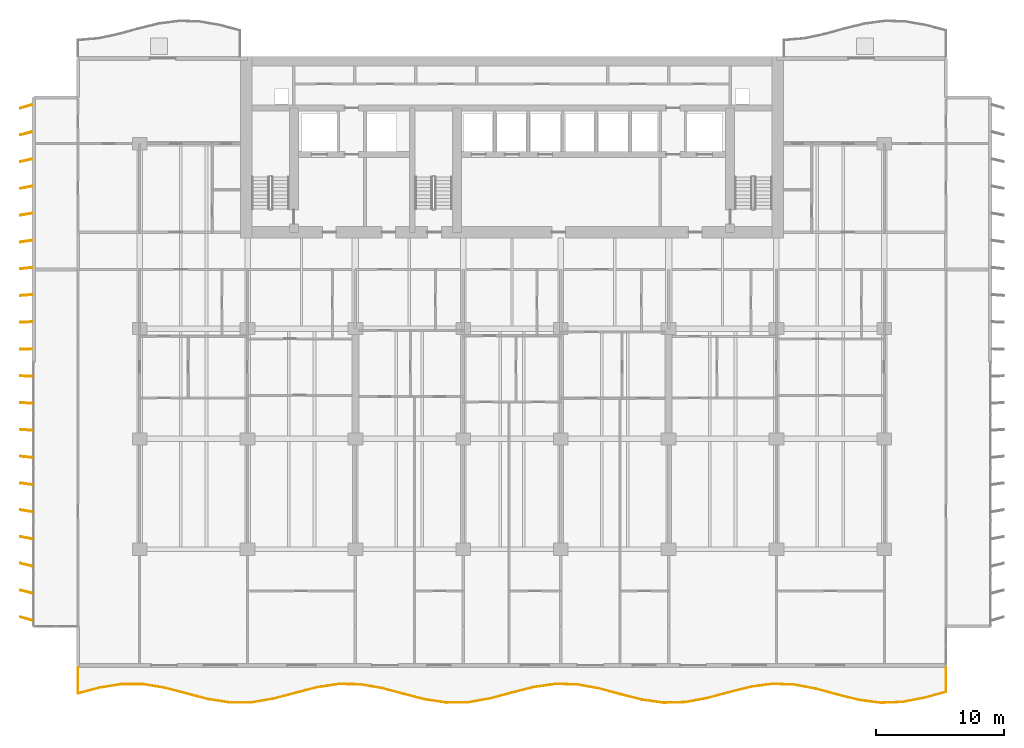
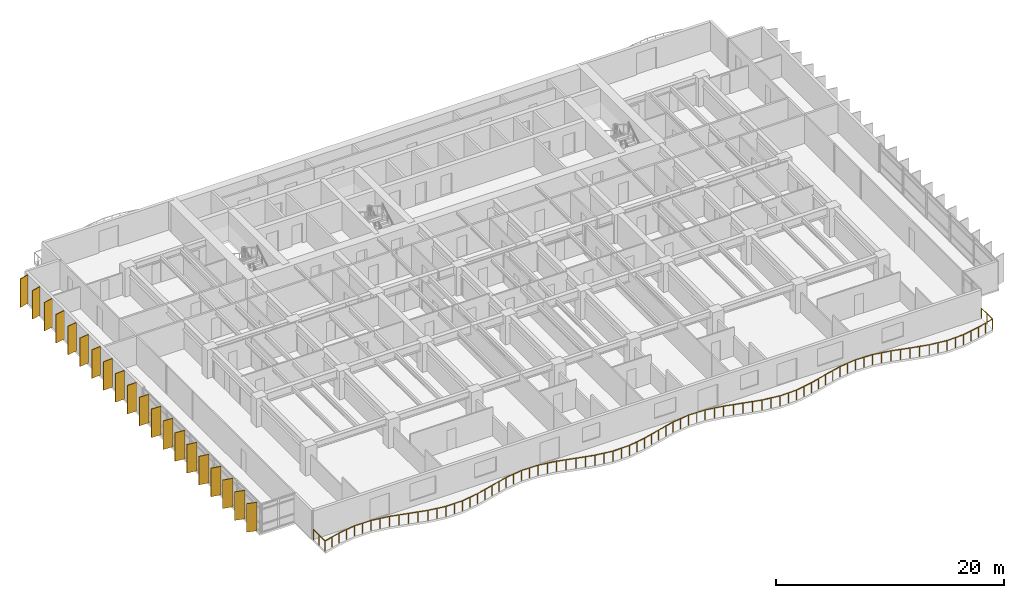
# One storey, part 15 of 18: 20 shading devices, 1 railing.
"""IFC4 building model written with IfcOpenShell, lengths in metres."""

from ifc_helpers import new_model, si_unit, direction, frame, origin, origin_2d, place, context, subcontext, project, spatial, rectangle, circle, extrude, material, material_profile, profile_set, type_object, element, save


model = new_model("IFC4")

# Units and contexts
model_context = context("Model", 3, precision=1e-05, world=origin(), true_north=direction((0.0, 1.0)))
body_context = subcontext(model_context, "Body", "Model", "MODEL_VIEW")
ifc_project = project(units=[si_unit("LENGTHUNIT", "METRE"), si_unit("AREAUNIT", "SQUARE_METRE"), si_unit("VOLUMEUNIT", "CUBIC_METRE"), si_unit("PLANEANGLEUNIT", "RADIAN"), si_unit("MASSUNIT", "GRAM", prefix="KILO")], contexts=[model_context])

# Site, building, storey
site_placement = place(None, origin())
site = spatial("IfcSite", under=ifc_project, at=site_placement, CompositionType="ELEMENT")
building_placement = place(site_placement, origin())
building = spatial("IfcBuilding", under=site, at=building_placement, Name="Caelmar Bay Residences", CompositionType="ELEMENT")
storey_placement = place(building_placement, frame((0.0, 0.0, 46.5)))
storey = spatial("IfcBuildingStorey", under=building, at=storey_placement, Name="L11", CompositionType="ELEMENT", Elevation=46.5)

# Railing
ifc_material_1 = material(Name="Anodised bronze handrail with laminated hurricane glass infill", Category="glass")
railing_type = type_object("IfcRailingType", Name="RL-BAL-1100", PredefinedType="BALUSTRADE", material=ifc_material_1)
railing_placement = place(storey_placement, frame((5.10009765625, 3.0, 0.0)))
element("IfcRailing", 1, at=railing_placement, inside=storey, type_object=railing_type, Name="L11 south Balcony Balustrade", PredefinedType="BALUSTRADE", context=body_context, shape_type="SweptSolid", body=[
    extrude(circle(Radius=0.02392578125, at=origin_2d()), frame((0.0, 0.0, 1.076171875), z_axis=(0.0, -1.0, 0.0), x_axis=(1.0, 0.0, 0.0)), (0.0, 0.0, 1.0), 2.02001953125),
    extrude(circle(Radius=0.02392578125, at=origin_2d()), frame((0.0, -2.02001953125, 1.076171875), z_axis=(0.9673004227, 0.253633381566, 0.0), x_axis=(-0.253633381566, 0.9673004227, 0.0)), (0.0, 0.0, 1.0), 1.7470703125),
    extrude(circle(Radius=0.02392578125, at=origin_2d()), frame((1.68994140625, -1.576904296875, 1.076171875), z_axis=(0.987296031473, 0.158891617894, 0.0), x_axis=(-0.158891617894, 0.987296031473, 0.0)), (0.0, 0.0, 1.0), 1.711669921875),
    extrude(circle(Radius=0.02392578125, at=origin_2d()), frame((3.3798828125, -1.304931640625, 1.076171875), z_axis=(0.999996618965, -0.002600395715, 0.0), x_axis=(0.002600395715, 0.999996618965, 0.0)), (0.0, 0.0, 1.0), 1.68994140625),
    extrude(circle(Radius=0.02392578125, at=origin_2d()), frame((5.06982421875, -1.309326171875, 1.076171875), z_axis=(0.986643147145, -0.162896593556, 0.0), x_axis=(0.162896593556, 0.986643147145, 0.0)), (0.0, 0.0, 1.0), 1.713134765625),
    extrude(circle(Radius=0.02392578125, at=origin_2d()), frame((6.760009765625, -1.58837890625, 1.076171875), z_axis=(0.966956816591, -0.254940218185, 0.0), x_axis=(0.254940218185, 0.966956816591, 0.0)), (0.0, 0.0, 1.0), 1.747802734375),
    extrude(circle(Radius=0.02392578125, at=origin_2d()), frame((8.449951171875, -2.033935546875, 1.076171875), z_axis=(0.967676628528, -0.252194255687, 0.0), x_axis=(0.252194255687, 0.967676628528, 0.0)), (0.0, 0.0, 1.0), 1.746337890625),
    extrude(circle(Radius=0.02392578125, at=origin_2d()), frame((10.139892578125, -2.474365234375, 1.076171875), z_axis=(0.987958911822, -0.154716477957, 0.0), x_axis=(0.154716477957, 0.987958911822, 0.0)), (0.0, 0.0, 1.0), 1.71044921875),
    extrude(circle(Radius=0.02392578125, at=origin_2d()), frame((11.829833984375, -2.739013671875, 1.076171875), z_axis=(0.999970696871, 0.007655416284, 0.0), x_axis=(-0.007655416284, 0.999970696871, 0.0)), (0.0, 0.0, 1.0), 1.690185546875),
    extrude(circle(Radius=0.02392578125, at=origin_2d()), frame((13.52001953125, -2.72607421875, 1.076171875), z_axis=(0.985990618152, 0.166800782123, 0.0), x_axis=(-0.166800782123, 0.985990618152, 0.0)), (0.0, 0.0, 1.0), 1.7138671875),
    extrude(circle(Radius=0.02392578125, at=origin_2d()), frame((15.2099609375, -2.440185546875, 1.076171875), z_axis=(0.966577095615, 0.256376126488, 0.0), x_axis=(-0.256376126488, 0.966577095615, 0.0)), (0.0, 0.0, 1.0), 1.748291015625),
    extrude(circle(Radius=0.02392578125, at=origin_2d()), frame((16.89990234375, -1.991943359375, 1.076171875), z_axis=(0.968118847571, 0.250491311182, 0.0), x_axis=(-0.250491311182, 0.968118847571, 0.0)), (0.0, 0.0, 1.0), 1.74560546875),
    extrude(circle(Radius=0.02392578125, at=origin_2d()), frame((18.58984375, -1.5546875, 1.076171875), z_axis=(0.988583716221, 0.15067261205, 0.0), x_axis=(-0.15067261205, 0.988583716221, 0.0)), (0.0, 0.0, 1.0), 1.70947265625),
    extrude(circle(Radius=0.02392578125, at=origin_2d()), frame((20.27978515625, -1.297119140625, 1.076171875), z_axis=(0.999917375751, -0.012854636204, 0.0), x_axis=(0.012854636204, 0.999917375751, 0.0)), (0.0, 0.0, 1.0), 1.6904296875),
    extrude(circle(Radius=0.02392578125, at=origin_2d()), frame((21.969970703125, -1.31884765625, 1.076171875), z_axis=(0.985327496445, -0.17067432364, 0.0), x_axis=(0.17067432364, 0.985327496445, 0.0)), (0.0, 0.0, 1.0), 1.715087890625),
    extrude(circle(Radius=0.02392578125, at=origin_2d()), frame((23.659912109375, -1.611572265625, 1.076171875), z_axis=(0.966265052723, -0.257549699837, 0.0), x_axis=(0.257549699837, 0.966265052723, 0.0)), (0.0, 0.0, 1.0), 1.7490234375),
    extrude(circle(Radius=0.02392578125, at=origin_2d()), frame((25.349853515625, -2.06201171875, 1.076171875), z_axis=(0.968524744122, -0.248917295549, 0.0), x_axis=(0.248917295549, 0.968524744122, 0.0)), (0.0, 0.0, 1.0), 1.744873046875),
    extrude(circle(Radius=0.02392578125, at=origin_2d()), frame((27.039794921875, -2.496337890625, 1.076171875), z_axis=(0.989216500601, -0.146460625901, 0.0), x_axis=(0.146460625901, 0.989216500601, 0.0)), (0.0, 0.0, 1.0), 1.70849609375),
    extrude(circle(Radius=0.02392578125, at=origin_2d()), frame((28.72998046875, -2.74658203125, 1.076171875), z_axis=(0.999836987602, 0.018055420897, 0.0), x_axis=(-0.018055420897, 0.999836987602, 0.0)), (0.0, 0.0, 1.0), 1.690185546875),
    extrude(circle(Radius=0.02392578125, at=origin_2d()), frame((30.419921875, -2.716064453125, 1.076171875), z_axis=(0.98465008987, 0.174539968256, 0.0), x_axis=(-0.174539968256, 0.98465008987, 0.0)), (0.0, 0.0, 1.0), 1.71630859375),
    extrude(circle(Radius=0.02392578125, at=origin_2d()), frame((32.10986328125, -2.41650390625, 1.076171875), z_axis=(0.965986655561, 0.258591920363, 0.0), x_axis=(-0.258591920363, 0.965986655561, 0.0)), (0.0, 0.0, 1.0), 1.74951171875),
    extrude(circle(Radius=0.02392578125, at=origin_2d()), frame((33.7998046875, -1.964111328125, 1.076171875), z_axis=(0.968970509617, 0.247176357068, 0.0), x_axis=(-0.247176357068, 0.968970509617, 0.0)), (0.0, 0.0, 1.0), 1.744384765625),
    extrude(circle(Radius=0.02392578125, at=origin_2d()), frame((35.489990234375, -1.532958984375, 1.076171875), z_axis=(0.989826141841, 0.142282145497, 0.0), x_axis=(-0.142282145497, 0.989826141841, 0.0)), (0.0, 0.0, 1.0), 1.707275390625),
    extrude(circle(Radius=0.02392578125, at=origin_2d()), frame((37.179931640625, -1.2900390625, 1.076171875), z_axis=(0.999729615122, -0.02325288472, 0.0), x_axis=(0.02325288472, 0.999729615122, 0.0)), (0.0, 0.0, 1.0), 1.6904296875),
    extrude(circle(Radius=0.02392578125, at=origin_2d()), frame((38.869873046875, -1.329345703125, 1.076171875), z_axis=(0.984008359062, -0.178122287475, 0.0), x_axis=(0.178122287475, 0.984008359062, 0.0)), (0.0, 0.0, 1.0), 1.71728515625),
    extrude(circle(Radius=0.02392578125, at=origin_2d()), frame((40.559814453125, -1.63525390625, 1.076171875), z_axis=(0.965646726702, -0.259858421471, 0.0), x_axis=(0.259858421471, 0.965646726702, 0.0)), (0.0, 0.0, 1.0), 1.750244140625),
    extrude(circle(Radius=0.02392578125, at=origin_2d()), frame((42.25, -2.090087890625, 1.076171875), z_axis=(0.969463175579, -0.245236928697, 0.0), x_axis=(0.245236928697, 0.969463175579, 0.0)), (0.0, 0.0, 1.0), 1.7431640625),
    extrude(circle(Radius=0.02392578125, at=origin_2d()), frame((43.93994140625, -2.517578125, 1.076171875), z_axis=(0.990441296635, -0.137934904646, 0.0), x_axis=(0.137934904646, 0.990441296635, 0.0)), (0.0, 0.0, 1.0), 1.706298828125),
    extrude(circle(Radius=0.02392578125, at=origin_2d()), frame((45.6298828125, -2.7529296875, 1.076171875), z_axis=(0.999599356685, 0.028304171325, 0.0), x_axis=(-0.028304171325, 0.999599356685, 0.0)), (0.0, 0.0, 1.0), 1.690673828125),
    extrude(circle(Radius=0.02392578125, at=origin_2d()), frame((47.31982421875, -2.705078125, 1.076171875), z_axis=(0.983333769748, 0.181809508201, 0.0), x_axis=(-0.181809508201, 0.983333769748, 0.0)), (0.0, 0.0, 1.0), 1.71875),
    extrude(circle(Radius=0.02392578125, at=origin_2d()), frame((49.010009765625, -2.392578125, 1.076171875), z_axis=(0.965391869343, 0.260803639941, 0.0), x_axis=(-0.260803639941, 0.965391869343, 0.0)), (0.0, 0.0, 1.0), 1.75048828125),
    extrude(circle(Radius=0.02392578125, at=origin_2d()), frame((50.699951171875, -1.93603515625, 1.076171875), z_axis=(0.969927816453, 0.243392750243, 0.0), x_axis=(-0.243392750243, 0.969927816453, 0.0)), (0.0, 0.0, 1.0), 1.742431640625),
    extrude(circle(Radius=0.02392578125, at=origin_2d()), frame((52.389892578125, -1.511962890625, 1.076171875), z_axis=(0.991038076884, 0.133579677222, 0.0), x_axis=(-0.133579677222, 0.991038076884, 0.0)), (0.0, 0.0, 1.0), 1.705322265625),
    extrude(circle(Radius=0.02392578125, at=origin_2d()), frame((54.079833984375, -1.2841796875, 1.076171875), z_axis=(0.999438962736, -0.03349268227, 0.0), x_axis=(0.03349268227, 0.999438962736, 0.0)), (0.0, 0.0, 1.0), 1.691162109375),
    extrude(circle(Radius=0.02392578125, at=origin_2d()), frame((55.77001953125, -1.3408203125, 1.076171875), z_axis=(0.982662629756, -0.185402686284, 0.0), x_axis=(0.185402686284, 0.982662629756, 0.0)), (0.0, 0.0, 1.0), 1.7197265625),
    extrude(circle(Radius=0.02392578125, at=origin_2d()), frame((57.4599609375, -1.65966796875, 1.076171875), z_axis=(0.965145700367, -0.261713157987, 0.0), x_axis=(0.261713157987, 0.965145700367, 0.0)), (0.0, 0.0, 1.0), 1.7509765625),
    extrude(circle(Radius=0.02392578125, at=origin_2d()), frame((59.14990234375, -2.117919921875, 1.076171875), z_axis=(0.970422239668, -0.241413911689, 0.0), x_axis=(0.241413911689, 0.970422239668, 0.0)), (0.0, 0.0, 1.0), 1.741455078125),
    extrude(circle(Radius=0.02392578125, at=origin_2d()), frame((60.83984375, -2.538330078125, 1.076171875), z_axis=(0.991634726281, -0.129075829006, 0.0), x_axis=(0.129075829006, 0.991634726281, 0.0)), (0.0, 0.0, 1.0), 1.7041015625),
    extrude(circle(Radius=0.02392578125, at=origin_2d()), frame((62.52978515625, -2.75830078125, 1.076171875), z_axis=(0.99926266631, 0.038394318827, 0.0), x_axis=(-0.038394318827, 0.99926266631, 0.0)), (0.0, 0.0, 1.0), 1.69140625),
    extrude(circle(Radius=0.02392578125, at=origin_2d()), frame((64.219970703125, -2.693359375, 1.076171875), z_axis=(0.981957846028, 0.189099943478, 0.0), x_axis=(-0.189099943478, 0.981957846028, 0.0)), (0.0, 0.0, 1.0), 1.720947265625),
    extrude(circle(Radius=0.02392578125, at=origin_2d()), frame((65.909912109375, -2.367919921875, 1.076171875), z_axis=(0.964934116904, 0.262492190426, 0.0), x_axis=(-0.262492190426, 0.964934116904, 0.0)), (0.0, 0.0, 1.0), 1.75146484375),
    extrude(circle(Radius=0.02392578125, at=origin_2d()), frame((67.599853515625, -1.908203125, 1.076171875), z_axis=(0.0, 1.0, 0.0), x_axis=(-1.0, 0.0, 0.0)), (0.0, 0.0, 1.0), 1.908203125),
    extrude(circle(Radius=0.02099609375, at=origin_2d()), origin(), (0.0, 0.0, 1.0), 1.052001953125),
    extrude(circle(Radius=0.02099609375, at=origin_2d()), frame((0.0, -1.010009765625, 0.0)), (0.0, 0.0, 1.0), 1.052001953125),
    extrude(circle(Radius=0.02099609375, at=origin_2d()), frame((0.0, -2.02001953125, 0.0)), (0.0, 0.0, 1.0), 1.052001953125),
    extrude(circle(Radius=0.02099609375, at=origin_2d()), frame((0.844970703125, -1.79833984375, 0.0)), (0.0, 0.0, 1.0), 1.052001953125),
    extrude(circle(Radius=0.02099609375, at=origin_2d()), frame((1.68994140625, -1.576904296875, 0.0)), (0.0, 0.0, 1.0), 1.052001953125),
    extrude(circle(Radius=0.02099609375, at=origin_2d()), frame((2.534912109375, -1.44091796875, 0.0)), (0.0, 0.0, 1.0), 1.052001953125),
    extrude(circle(Radius=0.02099609375, at=origin_2d()), frame((3.3798828125, -1.304931640625, 0.0)), (0.0, 0.0, 1.0), 1.052001953125),
    extrude(circle(Radius=0.02099609375, at=origin_2d()), frame((4.224853515625, -1.30712890625, 0.0)), (0.0, 0.0, 1.0), 1.052001953125),
    extrude(circle(Radius=0.02099609375, at=origin_2d()), frame((5.06982421875, -1.309326171875, 0.0)), (0.0, 0.0, 1.0), 1.052001953125),
    extrude(circle(Radius=0.02099609375, at=origin_2d()), frame((5.9150390625, -1.44873046875, 0.0)), (0.0, 0.0, 1.0), 1.052001953125),
    extrude(circle(Radius=0.02099609375, at=origin_2d()), frame((6.760009765625, -1.58837890625, 0.0)), (0.0, 0.0, 1.0), 1.052001953125),
    extrude(circle(Radius=0.02099609375, at=origin_2d()), frame((7.60498046875, -1.81103515625, 0.0)), (0.0, 0.0, 1.0), 1.052001953125),
    extrude(circle(Radius=0.02099609375, at=origin_2d()), frame((8.449951171875, -2.033935546875, 0.0)), (0.0, 0.0, 1.0), 1.052001953125),
    extrude(circle(Radius=0.02099609375, at=origin_2d()), frame((9.294921875, -2.254150390625, 0.0)), (0.0, 0.0, 1.0), 1.052001953125),
    extrude(circle(Radius=0.02099609375, at=origin_2d()), frame((10.139892578125, -2.474365234375, 0.0)), (0.0, 0.0, 1.0), 1.052001953125),
    extrude(circle(Radius=0.02099609375, at=origin_2d()), frame((10.98486328125, -2.606689453125, 0.0)), (0.0, 0.0, 1.0), 1.052001953125),
    extrude(circle(Radius=0.02099609375, at=origin_2d()), frame((11.829833984375, -2.739013671875, 0.0)), (0.0, 0.0, 1.0), 1.052001953125),
    extrude(circle(Radius=0.02099609375, at=origin_2d()), frame((12.6748046875, -2.732421875, 0.0)), (0.0, 0.0, 1.0), 1.052001953125),
    extrude(circle(Radius=0.02099609375, at=origin_2d()), frame((13.52001953125, -2.72607421875, 0.0)), (0.0, 0.0, 1.0), 1.052001953125),
    extrude(circle(Radius=0.02099609375, at=origin_2d()), frame((14.364990234375, -2.5830078125, 0.0)), (0.0, 0.0, 1.0), 1.052001953125),
    extrude(circle(Radius=0.02099609375, at=origin_2d()), frame((15.2099609375, -2.440185546875, 0.0)), (0.0, 0.0, 1.0), 1.052001953125),
    extrude(circle(Radius=0.02099609375, at=origin_2d()), frame((16.054931640625, -2.216064453125, 0.0)), (0.0, 0.0, 1.0), 1.052001953125),
    extrude(circle(Radius=0.02099609375, at=origin_2d()), frame((16.89990234375, -1.991943359375, 0.0)), (0.0, 0.0, 1.0), 1.052001953125),
    extrude(circle(Radius=0.02099609375, at=origin_2d()), frame((17.744873046875, -1.7734375, 0.0)), (0.0, 0.0, 1.0), 1.052001953125),
    extrude(circle(Radius=0.02099609375, at=origin_2d()), frame((18.58984375, -1.5546875, 0.0)), (0.0, 0.0, 1.0), 1.052001953125),
    extrude(circle(Radius=0.02099609375, at=origin_2d()), frame((19.434814453125, -1.42578125, 0.0)), (0.0, 0.0, 1.0), 1.052001953125),
    extrude(circle(Radius=0.02099609375, at=origin_2d()), frame((20.27978515625, -1.297119140625, 0.0)), (0.0, 0.0, 1.0), 1.052001953125),
    extrude(circle(Radius=0.02099609375, at=origin_2d()), frame((21.125, -1.30810546875, 0.0)), (0.0, 0.0, 1.0), 1.052001953125),
    extrude(circle(Radius=0.02099609375, at=origin_2d()), frame((21.969970703125, -1.31884765625, 0.0)), (0.0, 0.0, 1.0), 1.052001953125),
    extrude(circle(Radius=0.02099609375, at=origin_2d()), frame((22.81494140625, -1.46533203125, 0.0)), (0.0, 0.0, 1.0), 1.052001953125),
    extrude(circle(Radius=0.02099609375, at=origin_2d()), frame((23.659912109375, -1.611572265625, 0.0)), (0.0, 0.0, 1.0), 1.052001953125),
    extrude(circle(Radius=0.02099609375, at=origin_2d()), frame((24.5048828125, -1.8369140625, 0.0)), (0.0, 0.0, 1.0), 1.052001953125),
    extrude(circle(Radius=0.02099609375, at=origin_2d()), frame((25.349853515625, -2.06201171875, 0.0)), (0.0, 0.0, 1.0), 1.052001953125),
    extrude(circle(Radius=0.02099609375, at=origin_2d()), frame((26.19482421875, -2.279296875, 0.0)), (0.0, 0.0, 1.0), 1.052001953125),
    extrude(circle(Radius=0.02099609375, at=origin_2d()), frame((27.039794921875, -2.496337890625, 0.0)), (0.0, 0.0, 1.0), 1.052001953125),
    extrude(circle(Radius=0.02099609375, at=origin_2d()), frame((27.884765625, -2.62158203125, 0.0)), (0.0, 0.0, 1.0), 1.052001953125),
    extrude(circle(Radius=0.02099609375, at=origin_2d()), frame((28.72998046875, -2.74658203125, 0.0)), (0.0, 0.0, 1.0), 1.052001953125),
    extrude(circle(Radius=0.02099609375, at=origin_2d()), frame((29.574951171875, -2.7314453125, 0.0)), (0.0, 0.0, 1.0), 1.052001953125),
    extrude(circle(Radius=0.02099609375, at=origin_2d()), frame((30.419921875, -2.716064453125, 0.0)), (0.0, 0.0, 1.0), 1.052001953125),
    extrude(circle(Radius=0.02099609375, at=origin_2d()), frame((31.264892578125, -2.56640625, 0.0)), (0.0, 0.0, 1.0), 1.052001953125),
    extrude(circle(Radius=0.02099609375, at=origin_2d()), frame((32.10986328125, -2.41650390625, 0.0)), (0.0, 0.0, 1.0), 1.052001953125),
    extrude(circle(Radius=0.02099609375, at=origin_2d()), frame((32.954833984375, -2.1904296875, 0.0)), (0.0, 0.0, 1.0), 1.052001953125),
    extrude(circle(Radius=0.02099609375, at=origin_2d()), frame((33.7998046875, -1.964111328125, 0.0)), (0.0, 0.0, 1.0), 1.052001953125),
    extrude(circle(Radius=0.02099609375, at=origin_2d()), frame((34.64501953125, -1.74853515625, 0.0)), (0.0, 0.0, 1.0), 1.052001953125),
    extrude(circle(Radius=0.02099609375, at=origin_2d()), frame((35.489990234375, -1.532958984375, 0.0)), (0.0, 0.0, 1.0), 1.052001953125),
    extrude(circle(Radius=0.02099609375, at=origin_2d()), frame((36.3349609375, -1.41162109375, 0.0)), (0.0, 0.0, 1.0), 1.052001953125),
    extrude(circle(Radius=0.02099609375, at=origin_2d()), frame((37.179931640625, -1.2900390625, 0.0)), (0.0, 0.0, 1.0), 1.052001953125),
    extrude(circle(Radius=0.02099609375, at=origin_2d()), frame((38.02490234375, -1.3095703125, 0.0)), (0.0, 0.0, 1.0), 1.052001953125),
    extrude(circle(Radius=0.02099609375, at=origin_2d()), frame((38.869873046875, -1.329345703125, 0.0)), (0.0, 0.0, 1.0), 1.052001953125),
    extrude(circle(Radius=0.02099609375, at=origin_2d()), frame((39.71484375, -1.482421875, 0.0)), (0.0, 0.0, 1.0), 1.052001953125),
    extrude(circle(Radius=0.02099609375, at=origin_2d()), frame((40.559814453125, -1.63525390625, 0.0)), (0.0, 0.0, 1.0), 1.052001953125),
    extrude(circle(Radius=0.02099609375, at=origin_2d()), frame((41.40478515625, -1.86279296875, 0.0)), (0.0, 0.0, 1.0), 1.052001953125),
    extrude(circle(Radius=0.02099609375, at=origin_2d()), frame((42.25, -2.090087890625, 0.0)), (0.0, 0.0, 1.0), 1.052001953125),
    extrude(circle(Radius=0.02099609375, at=origin_2d()), frame((43.094970703125, -2.3037109375, 0.0)), (0.0, 0.0, 1.0), 1.052001953125),
    extrude(circle(Radius=0.02099609375, at=origin_2d()), frame((43.93994140625, -2.517578125, 0.0)), (0.0, 0.0, 1.0), 1.052001953125),
    extrude(circle(Radius=0.02099609375, at=origin_2d()), frame((44.784912109375, -2.63525390625, 0.0)), (0.0, 0.0, 1.0), 1.052001953125),
    extrude(circle(Radius=0.02099609375, at=origin_2d()), frame((45.6298828125, -2.7529296875, 0.0)), (0.0, 0.0, 1.0), 1.052001953125),
    extrude(circle(Radius=0.02099609375, at=origin_2d()), frame((46.474853515625, -2.72900390625, 0.0)), (0.0, 0.0, 1.0), 1.052001953125),
    extrude(circle(Radius=0.02099609375, at=origin_2d()), frame((47.31982421875, -2.705078125, 0.0)), (0.0, 0.0, 1.0), 1.052001953125),
    extrude(circle(Radius=0.02099609375, at=origin_2d()), frame((48.1650390625, -2.548828125, 0.0)), (0.0, 0.0, 1.0), 1.052001953125),
    extrude(circle(Radius=0.02099609375, at=origin_2d()), frame((49.010009765625, -2.392578125, 0.0)), (0.0, 0.0, 1.0), 1.052001953125),
    extrude(circle(Radius=0.02099609375, at=origin_2d()), frame((49.85498046875, -2.164306640625, 0.0)), (0.0, 0.0, 1.0), 1.052001953125),
    extrude(circle(Radius=0.02099609375, at=origin_2d()), frame((50.699951171875, -1.93603515625, 0.0)), (0.0, 0.0, 1.0), 1.052001953125),
    extrude(circle(Radius=0.02099609375, at=origin_2d()), frame((51.544921875, -1.72412109375, 0.0)), (0.0, 0.0, 1.0), 1.052001953125),
    extrude(circle(Radius=0.02099609375, at=origin_2d()), frame((52.389892578125, -1.511962890625, 0.0)), (0.0, 0.0, 1.0), 1.052001953125),
    extrude(circle(Radius=0.02099609375, at=origin_2d()), frame((53.23486328125, -1.39794921875, 0.0)), (0.0, 0.0, 1.0), 1.052001953125),
    extrude(circle(Radius=0.02099609375, at=origin_2d()), frame((54.079833984375, -1.2841796875, 0.0)), (0.0, 0.0, 1.0), 1.052001953125),
    extrude(circle(Radius=0.02099609375, at=origin_2d()), frame((54.9248046875, -1.3125, 0.0)), (0.0, 0.0, 1.0), 1.052001953125),
    extrude(circle(Radius=0.02099609375, at=origin_2d()), frame((55.77001953125, -1.3408203125, 0.0)), (0.0, 0.0, 1.0), 1.052001953125),
    extrude(circle(Radius=0.02099609375, at=origin_2d()), frame((56.614990234375, -1.500244140625, 0.0)), (0.0, 0.0, 1.0), 1.052001953125),
    extrude(circle(Radius=0.02099609375, at=origin_2d()), frame((57.4599609375, -1.65966796875, 0.0)), (0.0, 0.0, 1.0), 1.052001953125),
    extrude(circle(Radius=0.02099609375, at=origin_2d()), frame((58.304931640625, -1.888671875, 0.0)), (0.0, 0.0, 1.0), 1.052001953125),
    extrude(circle(Radius=0.02099609375, at=origin_2d()), frame((59.14990234375, -2.117919921875, 0.0)), (0.0, 0.0, 1.0), 1.052001953125),
    extrude(circle(Radius=0.02099609375, at=origin_2d()), frame((59.994873046875, -2.328125, 0.0)), (0.0, 0.0, 1.0), 1.052001953125),
    extrude(circle(Radius=0.02099609375, at=origin_2d()), frame((60.83984375, -2.538330078125, 0.0)), (0.0, 0.0, 1.0), 1.052001953125),
    extrude(circle(Radius=0.02099609375, at=origin_2d()), frame((61.684814453125, -2.6484375, 0.0)), (0.0, 0.0, 1.0), 1.052001953125),
    extrude(circle(Radius=0.02099609375, at=origin_2d()), frame((62.52978515625, -2.75830078125, 0.0)), (0.0, 0.0, 1.0), 1.052001953125),
    extrude(circle(Radius=0.02099609375, at=origin_2d()), frame((63.375, -2.725830078125, 0.0)), (0.0, 0.0, 1.0), 1.052001953125),
    extrude(circle(Radius=0.02099609375, at=origin_2d()), frame((64.219970703125, -2.693359375, 0.0)), (0.0, 0.0, 1.0), 1.052001953125),
    extrude(circle(Radius=0.02099609375, at=origin_2d()), frame((65.06494140625, -2.53076171875, 0.0)), (0.0, 0.0, 1.0), 1.052001953125),
    extrude(circle(Radius=0.02099609375, at=origin_2d()), frame((65.909912109375, -2.367919921875, 0.0)), (0.0, 0.0, 1.0), 1.052001953125),
    extrude(circle(Radius=0.02099609375, at=origin_2d()), frame((66.7548828125, -2.13818359375, 0.0)), (0.0, 0.0, 1.0), 1.052001953125),
    extrude(circle(Radius=0.02099609375, at=origin_2d()), frame((67.599853515625, -1.908203125, 0.0)), (0.0, 0.0, 1.0), 1.052001953125),
    extrude(circle(Radius=0.02099609375, at=origin_2d()), frame((67.599853515625, -0.9541015625, 0.0)), (0.0, 0.0, 1.0), 1.052001953125),
    extrude(circle(Radius=0.02099609375, at=origin_2d()), frame((67.599853515625, 0.0, 0.0)), (0.0, 0.0, 1.0), 1.052001953125),
])

# Shading devices
ifc_material_2 = material(Name="Anodised architectural bronze aluminium 6063-T6", Category="aluminium")
ifc_material_profile = material_profile(ifc_material_2, rectangle(XDim=0.074951171875, YDim=0.949951171875, at=origin_2d()), Name="BRONZE-FIN-75X950")
ifc_profile_set = profile_set([ifc_material_profile], Name="Anodised architectural bronze aluminium 6063-T6")
shading_device_type = type_object("IfcShadingDeviceType", Name="SHD-FIN-950", PredefinedType="USERDEFINED", material=ifc_profile_set)
for number, where, z_axis, x_axis, name in (
    (2, (1.050048828125, 6.800048828125, 0.0), (0.0, 0.0, 1.0), (0.275637355817, 0.961261695938, 0.0), "L11 West Bronze Solar Fin 1"),
    (3, (1.050048828125, 8.89990234375, 0.0), (0.0, 0.0, 1.0), (0.247337247968, 0.968929453452, 0.0), "L11 West Bronze Solar Fin 2"),
    (4, (1.050048828125, 11.0, 0.0), (0.0, 0.0, 1.0), (0.218654200292, 0.975802408633, 0.0), "L11 West Bronze Solar Fin 3"),
    (5, (1.050048828125, 13.10009765625, 0.0), (0.0, 0.0, 1.0), (0.189952291512, 0.981793321911, 0.0), "L11 West Bronze Solar Fin 4"),
    (6, (1.050048828125, 15.199951171875, 0.0), (0.0, 0.0, 1.0), (0.160914826518, 0.986968296657, 0.0), "L11 West Bronze Solar Fin 5"),
    (7, (1.050048828125, 17.300048828125, 0.0), (0.0, 0.0, 1.0), (0.131910382711, 0.991261646052, 0.0), "L11 West Bronze Solar Fin 6"),
    (8, (1.050048828125, 19.39990234375, 0.0), (0.0, 0.0, 1.0), (0.10261892683, 0.994720742649, 0.0), "L11 West Bronze Solar Fin 7"),
    (9, (1.050048828125, 21.5, 0.0), (0.0, 0.0, 1.0), (0.073412260224, 0.997301679558, 0.0), "L11 West Bronze Solar Fin 8"),
    (10, (1.050048828125, 23.60009765625, 0.0), (0.0, 0.0, 1.0), (0.044142481788, 0.999025245578, 0.0), "L11 West Bronze Solar Fin 9"),
    (11, (1.050048828125, 25.699951171875, 0.0), (0.0, 0.0, 1.0), (0.01466024053, 0.999892532899, 0.0), "L11 West Bronze Solar Fin 10"),
    (12, (1.050048828125, 27.800048828125, 0.0), (0.0, 0.0, 1.0), (-0.01466024053, 0.999892532899, 0.0), "L11 West Bronze Solar Fin 11"),
    (13, (1.050048828125, 29.89990234375, 0.0), (0.0, 0.0, 1.0), (-0.044142481788, 0.999025245578, 0.0), "L11 West Bronze Solar Fin 12"),
    (14, (1.050048828125, 32.0, 0.0), (0.0, 0.0, 1.0), (-0.073412260224, 0.997301679558, 0.0), "L11 West Bronze Solar Fin 13"),
    (15, (1.050048828125, 34.10009765625, 0.0), (0.0, 0.0, 1.0), (-0.10261892683, 0.994720742649, 0.0), "L11 West Bronze Solar Fin 14"),
    (16, (1.050048828125, 36.199951171875, 0.0), (0.0, 0.0, 1.0), (-0.131910382711, 0.991261646052, 0.0), "L11 West Bronze Solar Fin 15"),
    (17, (1.050048828125, 38.300048828125, 0.0), (0.0, 0.0, 1.0), (-0.160914826518, 0.986968296657, 0.0), "L11 West Bronze Solar Fin 16"),
    (18, (1.050048828125, 40.39990234375, 0.0), (0.0, 0.0, 1.0), (-0.189952291512, 0.981793321911, 0.0), "L11 West Bronze Solar Fin 17"),
    (19, (1.050048828125, 42.5, 0.0), (0.0, 0.0, 1.0), (-0.218654200292, 0.975802408633, 0.0), "L11 West Bronze Solar Fin 18"),
    (20, (1.050048828125, 44.60009765625, 0.0), (0.0, 0.0, 1.0), (-0.247337247968, 0.968929453452, 0.0), "L11 West Bronze Solar Fin 19"),
    (21, (1.050048828125, 46.699951171875, 0.0), (0.0, 0.0, 1.0), (-0.275637355817, 0.961261695938, 0.0), "L11 West Bronze Solar Fin 20"),
):
    element("IfcShadingDevice", number, at=place(storey_placement, frame(where, z_axis=z_axis, x_axis=x_axis)), inside=storey, type_object=shading_device_type, Name=name, ObjectType="FIN", PredefinedType="USERDEFINED", context=body_context, shape_type="SweptSolid", body=[
        extrude(rectangle(XDim=0.074951171875, YDim=0.949951171875, at=origin_2d()), origin(), (0.0, 0.0, 1.0), 3.050048828125),
    ])

save(model, "model.ifc")
